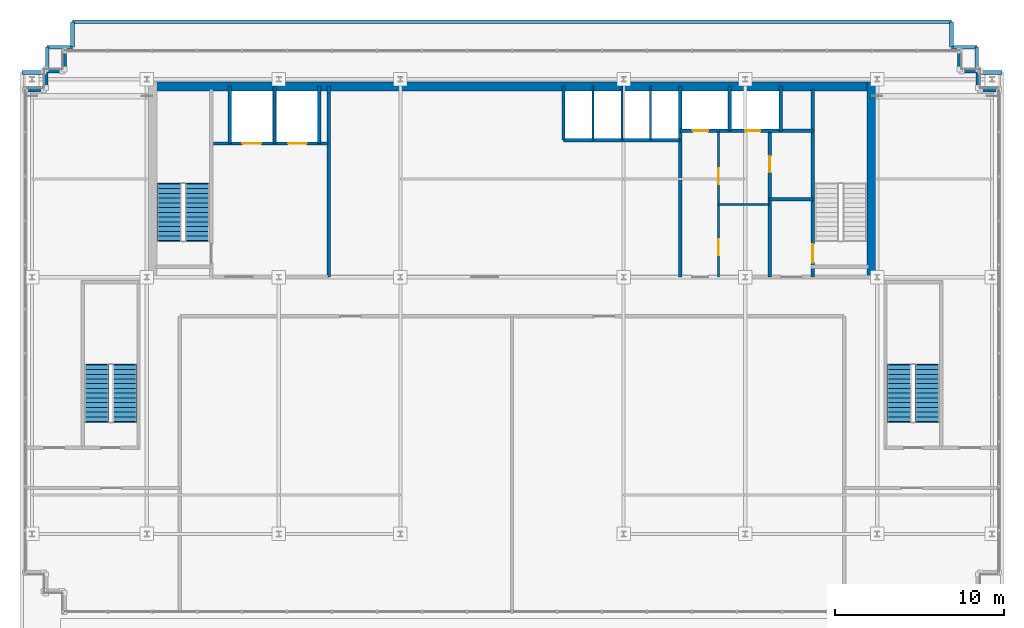
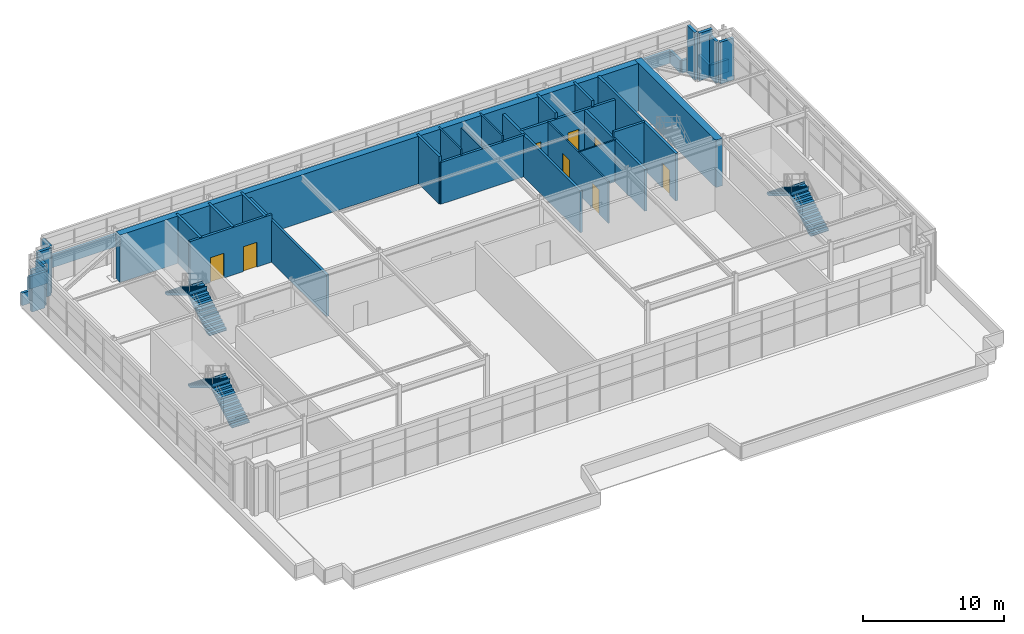
# One storey, part 31 of 38: 38 walls, 8 doors, 6 stair flights, 8 openings, 3 elements without a shape of their own.
"""IFC4 building model written with IfcOpenShell, lengths in metres."""

from ifc_helpers import new_model, si_unit, direction, frame, frame_2d, origin, place, context, subcontext, project, spatial, polyline, rectangle, outline, extrude, source, transform, mapped, material, layer, layer_set, type_object, element, fill, aggregate, save


model = new_model("IFC4")

# Units and contexts
model_context = context("Model", 3, precision=1e-05, world=origin(), true_north=direction((0.0, 1.0)))
body_context = subcontext(model_context, "Body", "Model", "MODEL_VIEW")
ifc_project = project(units=[si_unit("LENGTHUNIT", "METRE"), si_unit("AREAUNIT", "SQUARE_METRE"), si_unit("VOLUMEUNIT", "CUBIC_METRE"), si_unit("PLANEANGLEUNIT", "RADIAN"), si_unit("MASSUNIT", "GRAM", prefix="KILO")], contexts=[model_context])

# Site, building, storey
site_placement = place(None, origin())
site = spatial("IfcSite", under=ifc_project, at=site_placement, CompositionType="ELEMENT")
building_placement = place(site_placement, origin())
building = spatial("IfcBuilding", under=site, at=building_placement, Name="Trelvane Seafront Commons", CompositionType="ELEMENT")
storey_placement = place(building_placement, frame((0.0, 0.0, 299.10009765625)))
storey = spatial("IfcBuildingStorey", under=building, at=storey_placement, Name="L78", CompositionType="ELEMENT", Elevation=299.10009765625)

# Walls
ifc_material_1 = material(Name="Precast concrete C40/50", Category="concrete")
ifc_layer_1 = layer(ifc_material_1, 0.239990234375, Name="ARCH-WALL-EXT240")
ifc_layer_set_1 = layer_set([ifc_layer_1], Name="Precast concrete C40/50")
wall_type_1 = type_object("IfcWallType", Name="ARCH-WALL-EXT240", PredefinedType="SOLIDWALL", material=ifc_layer_set_1)
wall_1_placement = place(storey_placement, frame((8.39990234375, 44.47998046875, 0.0), z_axis=(0.0, 0.0, 1.0), x_axis=(1.0, 0.0, 0.0)))
element("IfcWall", 1, at=wall_1_placement, inside=storey, type_object=wall_type_1, Name="EW-L78-CRN-01584", PredefinedType="SOLIDWALL", context=body_context, shape_type="SweptSolid", body=[
    extrude(rectangle(XDim=1.10009765625, YDim=0.239990234375, at=frame_2d((0.550048828125, 0.0))), origin(), (0.0, 0.0, 1.0), 3.619873046875),
])
wall_2_placement = place(storey_placement, frame((9.6201171875, 44.60009765625, 0.0), z_axis=(0.0, 0.0, 1.0), x_axis=(0.0, 1.0, 0.0)))
element("IfcWall", 2, at=wall_2_placement, inside=storey, type_object=wall_type_1, Name="EW-L78-CRN-01585", PredefinedType="SOLIDWALL", context=body_context, shape_type="SweptSolid", body=[
    extrude(rectangle(XDim=1.099853515625, YDim=0.239990234375, at=frame_2d((0.5498046875, 0.0))), origin(), (0.0, 0.0, 1.0), 3.619873046875),
])
for number, where, z_axis, x_axis, name in (
    (3, (9.5, 45.580078125, 0.0), (0.0, 0.0, 1.0), (1.0, 0.0, 0.0), "EW-L78-CRN-01586"),
    (4, (10.719970703125, 45.699951171875, 0.0), (0.0, 0.0, 1.0), (0.0, 1.0, 0.0), "EW-L78-CRN-01587"),
    (5, (63.679931640625, 46.800048828125, 0.0), (0.0, 0.0, 1.0), (0.0, -1.0, 0.0), "EW-L78-CRN-01588"),
):
    element("IfcWall", number, at=place(storey_placement, frame(where, z_axis=z_axis, x_axis=x_axis)), inside=storey, type_object=wall_type_1, Name=name, PredefinedType="SOLIDWALL", context=body_context, shape_type="SweptSolid", body=[
        extrude(rectangle(XDim=1.10009765625, YDim=0.239990234375, at=frame_2d((0.550048828125, 0.0))), origin(), (0.0, 0.0, 1.0), 4.119873046875),
    ])
wall_3_placement = place(storey_placement, frame((63.800048828125, 45.580078125, 0.0), z_axis=(0.0, 0.0, 1.0), x_axis=(1.0, 0.0, 0.0)))
element("IfcWall", 6, at=wall_3_placement, inside=storey, type_object=wall_type_1, Name="EW-L78-CRN-01589", PredefinedType="SOLIDWALL", context=body_context, shape_type="SweptSolid", body=[
    extrude(rectangle(XDim=1.099853515625, YDim=0.239990234375, at=frame_2d((0.5498046875, 0.0))), origin(), (0.0, 0.0, 1.0), 4.119873046875),
])
wall_4_placement = place(storey_placement, frame((64.780029296875, 45.699951171875, 0.0), z_axis=(0.0, 0.0, 1.0), x_axis=(0.0, -1.0, 0.0)))
element("IfcWall", 7, at=wall_4_placement, inside=storey, type_object=wall_type_1, Name="EW-L78-CRN-01590", PredefinedType="SOLIDWALL", context=body_context, shape_type="SweptSolid", body=[
    extrude(rectangle(XDim=1.099853515625, YDim=0.239990234375, at=frame_2d((0.5498046875, 0.0))), origin(), (0.0, 0.0, 1.0), 3.619873046875),
])
wall_5_placement = place(storey_placement, frame((64.89990234375, 44.47998046875, 0.0), z_axis=(0.0, 0.0, 1.0), x_axis=(1.0, 0.0, 0.0)))
element("IfcWall", 8, at=wall_5_placement, inside=storey, type_object=wall_type_1, Name="EW-L78-CRN-01591", PredefinedType="SOLIDWALL", context=body_context, shape_type="SweptSolid", body=[
    extrude(rectangle(XDim=1.10009765625, YDim=0.239990234375, at=frame_2d((0.550048828125, 0.0))), origin(), (0.0, 0.0, 1.0), 3.619873046875),
])

# Wall, opening, door
ifc_material_2 = material(Name="Concrete C40/50", Category="concrete")
ifc_layer_2 = layer(ifc_material_2, 0.199951171875, Name="ARCH-WALL-FIRE200")
ifc_layer_set_2 = layer_set([ifc_layer_2], Name="Concrete C40/50")
wall_type_2 = type_object("IfcWallType", Name="ARCH-WALL-FIRE200", PredefinedType="PARTITIONING", material=ifc_layer_set_2)
wall_6_placement = place(storey_placement, frame((52.449951171875, 33.39990234375, 0.0), z_axis=(0.0, 0.0, 1.0), x_axis=(0.0, 1.0, 0.0)))
wall_6 = element("IfcWall", 9, at=wall_6_placement, inside=storey, type_object=wall_type_2, Name="W-L78-ST2V-W-032", PredefinedType="PARTITIONING", context=body_context, shape_type="SweptSolid", body=[
    extrude(rectangle(XDim=8.650146484375, YDim=0.199951171875, at=frame_2d((4.3251953125, 0.0))), origin(), (0.0, 0.0, 1.0), 3.619873046875),
])
opening_1_placement = place(wall_6_placement, frame((6.199951171875, 0.0, 0.0)))
opening_1 = element("IfcOpeningElement", 10, at=opening_1_placement, cuts=wall_6, Name="Opening FD-L78-11", PredefinedType="OPENING", context=body_context, shape_type="SweptSolid", body=[
    extrude(rectangle(XDim=0.949951171875, YDim=2.14990234375, at=frame_2d((0.47509765625, 1.074951171875))), frame((0.0, 0.10986328125, 0.0), z_axis=(0.0, -1.0, 0.0), x_axis=(1.0, 0.0, 0.0)), (0.0, 0.0, 1.0), 0.219970703125),
])
ifc_material_3 = material(Name="Powder-coated aluminium frame", Category="aluminium")
door_type_1 = type_object("IfcDoorType", Name="ARCH-DR-FD60-950", OperationType="NOTDEFINED", PredefinedType="DOOR", material=ifc_material_3)
shared_shape_1 = source(origin(), body_context, "Body", "SweptSolid", [
    extrude(rectangle(XDim=0.949951171875, YDim=2.14990234375, at=frame_2d((0.47509765625, 1.074951171875))), frame((0.0, 0.02490234375, 0.0), z_axis=(0.0, -1.0, 0.0), x_axis=(1.0, 0.0, 0.0)), (0.0, 0.0, 1.0), 0.050048828125),
])
door_1_placement = place(opening_1_placement, origin())
door_1 = element("IfcDoor", 11, at=door_1_placement, inside=storey, type_object=door_type_1, Name="L78 Cleaner Store Door", OperationType="SINGLE_SWING_LEFT", OverallHeight=2.14990234375, OverallWidth=0.949951171875, PredefinedType="DOOR", context=body_context, shape_type="MappedRepresentation", body=[
    mapped(shared_shape_1, transform((0.0, 0.0, 0.0), x_axis=(1.0, 0.0, 0.0), y_axis=(0.0, 1.0, 0.0), z_axis=(0.0, 0.0, 1.0), scale=1.0)),
])
fill(opening_1, door_1)

# Walls
wall_7_placement = place(storey_placement, frame((52.449951171875, 38.0, 0.0), z_axis=(0.0, 0.0, 1.0), x_axis=(1.0, 0.0, 0.0)))
element("IfcWall", 12, at=wall_7_placement, inside=storey, type_object=wall_type_2, Name="W-L78-ST2V-N-033", PredefinedType="PARTITIONING", context=body_context, shape_type="SweptSolid", body=[
    extrude(rectangle(XDim=2.550048828125, YDim=0.199951171875, at=frame_2d((1.27490234375, 0.0))), origin(), (0.0, 0.0, 1.0), 4.119873046875),
])
ifc_layer_3 = layer(ifc_material_1, 0.219970703125, Name="ARCH-WALL-PARAPET220")
ifc_layer_set_3 = layer_set([ifc_layer_3], Name="Precast concrete C40/50")
wall_type_3 = type_object("IfcWallType", Name="ARCH-WALL-PARAPET220", PredefinedType="PARAPET", material=ifc_layer_set_3)
for number, where, z_axis, x_axis, name in (
    (13, (66.199951171875, 45.5, 0.0), (0.0, 0.0, 1.0), (-1.0, 0.0, 0.0), "PAR-L78-1607"),
    (14, (64.699951171875, 45.5, 0.0), (0.0, 0.0, 1.0), (0.0, 1.0, 0.0), "PAR-L78-1608"),
    (15, (64.699951171875, 47.0, 0.0), (0.0, 0.0, 1.0), (-1.0, 0.0, 0.0), "PAR-L78-1609"),
    (16, (63.199951171875, 47.0, 0.0), (0.0, 0.0, 1.0), (0.0, 1.0, 0.0), "PAR-L78-1610"),
):
    element("IfcWall", number, at=place(storey_placement, frame(where, z_axis=z_axis, x_axis=x_axis)), inside=storey, type_object=wall_type_3, Name=name, PredefinedType="PARAPET", context=body_context, shape_type="SweptSolid", body=[
        extrude(rectangle(XDim=1.5, YDim=0.219970703125, at=frame_2d((0.75, 0.0))), origin(), (0.0, 0.0, 1.0), 1.079833984375),
    ])
wall_8_placement = place(storey_placement, frame((63.199951171875, 48.5, 0.0), z_axis=(0.0, 0.0, 1.0), x_axis=(-1.0, 0.0, 0.0)))
element("IfcWall", 17, at=wall_8_placement, inside=storey, type_object=wall_type_3, Name="PAR-L78-1611", PredefinedType="PARAPET", context=body_context, shape_type="SweptSolid", body=[
    extrude(rectangle(XDim=52.0, YDim=0.219970703125, at=frame_2d((26.0, 0.0))), origin(), (0.0, 0.0, 1.0), 1.079833984375),
])
for number, where, z_axis, x_axis, name in (
    (18, (11.199951171875, 48.5, 0.0), (0.0, 0.0, 1.0), (0.0, -1.0, 0.0), "PAR-L78-1612"),
    (19, (11.199951171875, 47.0, 0.0), (0.0, 0.0, 1.0), (-1.0, 0.0, 0.0), "PAR-L78-1613"),
    (20, (9.699951171875, 47.0, 0.0), (0.0, 0.0, 1.0), (0.0, -1.0, 0.0), "PAR-L78-1614"),
    (21, (9.699951171875, 45.5, 0.0), (0.0, 0.0, 1.0), (-1.0, 0.0, 0.0), "PAR-L78-1615"),
):
    element("IfcWall", number, at=place(storey_placement, frame(where, z_axis=z_axis, x_axis=x_axis)), inside=storey, type_object=wall_type_3, Name=name, PredefinedType="PARAPET", context=body_context, shape_type="SweptSolid", body=[
        extrude(rectangle(XDim=1.5, YDim=0.219970703125, at=frame_2d((0.75, 0.0))), origin(), (0.0, 0.0, 1.0), 1.079833984375),
    ])
ifc_material_4 = material(Name="Gypsum Drywall Acoustic Partition")
ifc_layer_4 = layer(ifc_material_4, 0.1201171875, Name="ARCH-WALL-PART120")
ifc_layer_set_4 = layer_set([ifc_layer_4], Name="Gypsum Drywall Acoustic Partition")
wall_type_4 = type_object("IfcWallType", Name="ARCH-WALL-PART120", PredefinedType="PARTITIONING", material=ifc_layer_set_4)
wall_9_placement = place(storey_placement, frame((42.0, 41.5, 0.0), z_axis=(0.0, 0.0, 1.0), x_axis=(0.0, 1.0, 0.0)))
element("IfcWall", 22, at=wall_9_placement, inside=storey, type_object=wall_type_4, Name="W-L78-PH78-DV1-025", PredefinedType="PARTITIONING", context=body_context, shape_type="SweptSolid", body=[
    extrude(rectangle(XDim=3.199951171875, YDim=0.1201171875, at=frame_2d((1.60009765625, 0.0))), origin(), (0.0, 0.0, 1.0), 4.119873046875),
])
wall_10_placement = place(storey_placement, frame((43.699951171875, 41.5, 0.0), z_axis=(0.0, 0.0, 1.0), x_axis=(0.0, 1.0, 0.0)))
element("IfcWall", 23, at=wall_10_placement, inside=storey, type_object=wall_type_4, Name="W-L78-PH78-DV2-026", PredefinedType="PARTITIONING", context=body_context, shape_type="SweptSolid", body=[
    extrude(rectangle(XDim=3.199951171875, YDim=0.1201171875, at=frame_2d((1.60009765625, 0.0))), origin(), (0.0, 0.0, 1.0), 3.619873046875),
])
wall_11_placement = place(storey_placement, frame((45.39990234375, 41.5, 0.0), z_axis=(0.0, 0.0, 1.0), x_axis=(0.0, 1.0, 0.0)))
element("IfcWall", 24, at=wall_11_placement, inside=storey, type_object=wall_type_4, Name="W-L78-PH78-DV3-027", PredefinedType="PARTITIONING", context=body_context, shape_type="SweptSolid", body=[
    extrude(rectangle(XDim=3.199951171875, YDim=0.1201171875, at=frame_2d((1.60009765625, 0.0))), origin(), (0.0, 0.0, 1.0), 4.119873046875),
])

# Wall, openings, doors
wall_12_placement = place(storey_placement, frame((49.419921875, 33.39990234375, 0.0), z_axis=(0.0, 0.0, 1.0), x_axis=(0.0, 1.0, 0.0)))
wall_12 = element("IfcWall", 25, at=wall_12_placement, inside=storey, type_object=wall_type_4, Name="W-L78-CYC0-V-034", PredefinedType="PARTITIONING", context=body_context, shape_type="SweptSolid", body=[
    extrude(rectangle(XDim=8.60009765625, YDim=0.1201171875, at=frame_2d((4.300048828125, 0.0))), origin(), (0.0, 0.0, 1.0), 3.619873046875),
])
opening_2_placement = place(wall_12_placement, frame((1.300048828125, 0.0, 0.0)))
opening_2 = element("IfcOpeningElement", 26, at=opening_2_placement, cuts=wall_12, Name="Opening D-L78-12", PredefinedType="OPENING", context=body_context, shape_type="SweptSolid", body=[
    extrude(rectangle(XDim=0.949951171875, YDim=2.14990234375, at=frame_2d((0.47509765625, 1.074951171875))), frame((0.0, 0.070068359375, 0.0), z_axis=(0.0, -1.0, 0.0), x_axis=(1.0, 0.0, 0.0)), (0.0, 0.0, 1.0), 0.14013671875),
])
opening_3_placement = place(wall_12_placement, frame((5.5, 0.0, 0.0)))
opening_3 = element("IfcOpeningElement", 27, at=opening_3_placement, cuts=wall_12, Name="Opening D-L78-13", PredefinedType="OPENING", context=body_context, shape_type="SweptSolid", body=[
    extrude(rectangle(XDim=0.949951171875, YDim=2.14990234375, at=frame_2d((0.47509765625, 1.074951171875))), frame((0.0, 0.070068359375, 0.0), z_axis=(0.0, -1.0, 0.0), x_axis=(1.0, 0.0, 0.0)), (0.0, 0.0, 1.0), 0.14013671875),
])
ifc_material_5 = material(Name="Acoustic timber door leaf", Category="wood")
door_type_2 = type_object("IfcDoorType", Name="ARCH-DR-INT950", OperationType="NOTDEFINED", PredefinedType="DOOR", material=ifc_material_5)
door_2_placement = place(opening_2_placement, origin())
door_2 = element("IfcDoor", 28, at=door_2_placement, inside=storey, type_object=door_type_2, Name="L78 Accessible WC Door", OperationType="SINGLE_SWING_RIGHT", OverallHeight=2.14990234375, OverallWidth=0.949951171875, PredefinedType="DOOR", context=body_context, shape_type="MappedRepresentation", body=[
    mapped(shared_shape_1, transform((0.0, 0.0, 0.0), x_axis=(1.0, 0.0, 0.0), y_axis=(0.0, 1.0, 0.0), z_axis=(0.0, 0.0, 1.0), scale=1.0)),
])
fill(opening_2, door_2)
door_3_placement = place(opening_3_placement, origin())
door_3 = element("IfcDoor", 29, at=door_3_placement, inside=storey, type_object=door_type_2, Name="L78 Common WC Door", OperationType="SINGLE_SWING_LEFT", OverallHeight=2.14990234375, OverallWidth=0.949951171875, PredefinedType="DOOR", context=body_context, shape_type="MappedRepresentation", body=[
    mapped(shared_shape_1, transform((0.0, 0.0, 0.0), x_axis=(1.0, 0.0, 0.0), y_axis=(0.0, 1.0, 0.0), z_axis=(0.0, 0.0, 1.0), scale=1.0)),
])
fill(opening_3, door_3)

# Wall
wall_13_placement = place(storey_placement, frame((49.419921875, 37.679931640625, 0.0), z_axis=(0.0, 0.0, 1.0), x_axis=(1.0, 0.0, 0.0)))
element("IfcWall", 30, at=wall_13_placement, inside=storey, type_object=wall_type_4, Name="W-L78-CYC0-H-035", PredefinedType="PARTITIONING", context=body_context, shape_type="SweptSolid", body=[
    extrude(rectangle(XDim=3.030029296875, YDim=0.1201171875, at=frame_2d((1.51513671875, 0.0))), origin(), (0.0, 0.0, 1.0), 3.619873046875),
])

# Wall, openings, doors
ifc_layer_5 = layer(ifc_material_2, 0.199951171875, Name="ARCH-WALL-SHAFT200")
ifc_layer_set_5 = layer_set([ifc_layer_5], Name="Concrete C40/50")
wall_type_5 = type_object("IfcWallType", Name="ARCH-WALL-SHAFT200", PredefinedType="SOLIDWALL", material=ifc_layer_set_5)
wall_14_placement = place(storey_placement, frame((19.550048828125, 41.300048828125, 0.0), z_axis=(0.0, 0.0, 1.0), x_axis=(1.0, 0.0, 0.0)))
wall_14 = element("IfcWall", 31, at=wall_14_placement, inside=storey, type_object=wall_type_5, Name="W-L78-FFL-FRONT-016", PredefinedType="SOLIDWALL", context=body_context, shape_type="SweptSolid", body=[
    extrude(rectangle(XDim=6.75, YDim=0.199951171875, at=frame_2d((3.375, 0.0))), origin(), (0.0, 0.0, 1.0), 4.119873046875),
])
opening_4_placement = place(wall_14_placement, frame((1.699951171875, 0.0, 0.0)))
opening_4 = element("IfcOpeningElement", 32, at=opening_4_placement, cuts=wall_14, Name="Opening LD-FF1-L78", PredefinedType="OPENING", context=body_context, shape_type="SweptSolid", body=[
    extrude(rectangle(XDim=1.10009765625, YDim=2.14990234375, at=frame_2d((0.550048828125, 1.074951171875))), frame((0.0, 0.10986328125, 0.0), z_axis=(0.0, -1.0, 0.0), x_axis=(1.0, 0.0, 0.0)), (0.0, 0.0, 1.0), 0.219970703125),
])
opening_5_placement = place(wall_14_placement, frame((4.39990234375, 0.0, 0.0)))
opening_5 = element("IfcOpeningElement", 33, at=opening_5_placement, cuts=wall_14, Name="Opening LD-FF2-L78", PredefinedType="OPENING", context=body_context, shape_type="SweptSolid", body=[
    extrude(rectangle(XDim=1.10009765625, YDim=2.14990234375, at=frame_2d((0.550048828125, 1.074951171875))), frame((0.0, 0.10986328125, 0.0), z_axis=(0.0, -1.0, 0.0), x_axis=(1.0, 0.0, 0.0)), (0.0, 0.0, 1.0), 0.219970703125),
])
ifc_material_6 = material(Name="Stainless steel balustrade", Category="steel")
door_type_3 = type_object("IfcDoorType", Name="ARCH-DR-LD1100", OperationType="DOUBLE_DOOR_SLIDING", PredefinedType="DOOR", material=ifc_material_6)
shared_shape_2 = source(origin(), body_context, "Body", "SweptSolid", [
    extrude(rectangle(XDim=1.10009765625, YDim=2.14990234375, at=frame_2d((0.550048828125, 1.074951171875))), frame((0.0, 0.02490234375, 0.0), z_axis=(0.0, -1.0, 0.0), x_axis=(1.0, 0.0, 0.0)), (0.0, 0.0, 1.0), 0.050048828125),
])
door_4_placement = place(opening_4_placement, origin())
door_4 = element("IfcDoor", 34, at=door_4_placement, inside=storey, type_object=door_type_3, Name="L78 Firefighting Lift FFL-1 Landing Door", OperationType="DOUBLE_DOOR_SLIDING", OverallHeight=2.14990234375, OverallWidth=1.10009765625, PredefinedType="DOOR", context=body_context, shape_type="MappedRepresentation", body=[
    mapped(shared_shape_2, transform((0.0, 0.0, 0.0), x_axis=(1.0, 0.0, 0.0), y_axis=(0.0, 1.0, 0.0), z_axis=(0.0, 0.0, 1.0), scale=1.0)),
])
fill(opening_4, door_4)
door_5_placement = place(opening_5_placement, origin())
door_5 = element("IfcDoor", 35, at=door_5_placement, inside=storey, type_object=door_type_3, Name="L78 Firefighting Lift FFL-2 Landing Door", OperationType="DOUBLE_DOOR_SLIDING", OverallHeight=2.14990234375, OverallWidth=1.10009765625, PredefinedType="DOOR", context=body_context, shape_type="MappedRepresentation", body=[
    mapped(shared_shape_2, transform((0.0, 0.0, 0.0), x_axis=(1.0, 0.0, 0.0), y_axis=(0.0, 1.0, 0.0), z_axis=(0.0, 0.0, 1.0), scale=1.0)),
])
fill(opening_5, door_5)

# Walls
for number, where, z_axis, x_axis, name in (
    (36, (20.5, 41.300048828125, 0.0), (0.0, 0.0, 1.0), (0.0, 1.0, 0.0), "W-L78-FFL-SH-W-017"),
    (37, (23.14990234375, 41.300048828125, 0.0), (0.0, 0.0, 1.0), (0.0, 1.0, 0.0), "W-L78-FFL-DIV-018"),
    (38, (25.800048828125, 41.300048828125, 0.0), (0.0, 0.0, 1.0), (0.0, 1.0, 0.0), "W-L78-FFL-SH-E-019"),
):
    element("IfcWall", number, at=place(storey_placement, frame(where, z_axis=z_axis, x_axis=x_axis)), inside=storey, type_object=wall_type_5, Name=name, PredefinedType="SOLIDWALL", context=body_context, shape_type="SweptSolid", body=[
        extrude(rectangle(XDim=3.39990234375, YDim=0.199951171875, at=frame_2d((1.699951171875, 0.0))), origin(), (0.0, 0.0, 1.0), 4.119873046875),
    ])
wall_15_placement = place(storey_placement, frame((26.35009765625, 33.39990234375, 0.0), z_axis=(0.0, 0.0, 1.0), x_axis=(0.0, 1.0, 0.0)))
element("IfcWall", 39, at=wall_15_placement, inside=storey, type_object=wall_type_5, Name="W-L78-FFL-EAST-020", PredefinedType="SOLIDWALL", context=body_context, shape_type="SweptSolid", body=[
    extrude(rectangle(XDim=11.300048828125, YDim=0.199951171875, at=frame_2d((5.64990234375, 0.0))), origin(), (0.0, 0.0, 1.0), 3.619873046875),
])
wall_16_placement = place(storey_placement, frame((40.25, 41.5, 0.0), z_axis=(0.0, 0.0, 1.0), x_axis=(0.0, 1.0, 0.0)))
element("IfcWall", 40, at=wall_16_placement, inside=storey, type_object=wall_type_5, Name="W-L78-PH78-W-022", PredefinedType="SOLIDWALL", context=body_context, shape_type="SweptSolid", body=[
    extrude(rectangle(XDim=3.199951171875, YDim=0.199951171875, at=frame_2d((1.60009765625, 0.0))), origin(), (0.0, 0.0, 1.0), 4.119873046875),
])
wall_17_placement = place(storey_placement, frame((40.25, 41.5, 0.0), z_axis=(0.0, 0.0, 1.0), x_axis=(1.0, 0.0, 0.0)))
element("IfcWall", 41, at=wall_17_placement, inside=storey, type_object=wall_type_5, Name="W-L78-PH78-S-023", PredefinedType="SOLIDWALL", context=body_context, shape_type="SweptSolid", body=[
    extrude(rectangle(XDim=6.89990234375, YDim=0.199951171875, at=frame_2d((3.449951171875, 0.0))), origin(), (0.0, 0.0, 1.0), 3.619873046875),
])
wall_18_placement = place(storey_placement, frame((47.14990234375, 33.39990234375, 0.0), z_axis=(0.0, 0.0, 1.0), x_axis=(0.0, 1.0, 0.0)))
element("IfcWall", 42, at=wall_18_placement, inside=storey, type_object=wall_type_5, Name="W-L78-PH78-E-024", PredefinedType="SOLIDWALL", context=body_context, shape_type="SweptSolid", body=[
    extrude(rectangle(XDim=11.300048828125, YDim=0.199951171875, at=frame_2d((5.64990234375, 0.0))), origin(), (0.0, 0.0, 1.0), 3.619873046875),
])

# Wall, openings, doors
wall_19_placement = place(storey_placement, frame((47.14990234375, 42.050048828125, 0.0), z_axis=(0.0, 0.0, 1.0), x_axis=(1.0, 0.0, 0.0)))
wall_19 = element("IfcWall", 43, at=wall_19_placement, inside=storey, type_object=wall_type_5, Name="W-L78-RSR-S-029", PredefinedType="SOLIDWALL", context=body_context, shape_type="SweptSolid", body=[
    extrude(rectangle(XDim=7.85009765625, YDim=0.199951171875, at=frame_2d((3.925048828125, 0.0))), origin(), (0.0, 0.0, 1.0), 3.619873046875),
])
opening_6_placement = place(wall_19_placement, frame((0.75, 0.0, 0.0)))
opening_6 = element("IfcOpeningElement", 44, at=opening_6_placement, cuts=wall_19, Name="Opening FD-L78-09", PredefinedType="OPENING", context=body_context, shape_type="SweptSolid", body=[
    extrude(rectangle(XDim=0.89990234375, YDim=2.10009765625, at=frame_2d((0.449951171875, 1.050048828125))), frame((0.0, 0.10986328125, 0.0), z_axis=(0.0, -1.0, 0.0), x_axis=(1.0, 0.0, 0.0)), (0.0, 0.0, 1.0), 0.219970703125),
])
opening_7_placement = place(wall_19_placement, frame((3.85009765625, 0.0, 0.0)))
opening_7 = element("IfcOpeningElement", 45, at=opening_7_placement, cuts=wall_19, Name="Opening FD-L78-10", PredefinedType="OPENING", context=body_context, shape_type="SweptSolid", body=[
    extrude(rectangle(XDim=0.89990234375, YDim=2.10009765625, at=frame_2d((0.449951171875, 1.050048828125))), frame((0.0, 0.10986328125, 0.0), z_axis=(0.0, -1.0, 0.0), x_axis=(1.0, 0.0, 0.0)), (0.0, 0.0, 1.0), 0.219970703125),
])
door_type_4 = type_object("IfcDoorType", Name="ARCH-DR-FD60-900", OperationType="NOTDEFINED", PredefinedType="DOOR", material=ifc_material_3)
shared_shape_3 = source(origin(), body_context, "Body", "SweptSolid", [
    extrude(rectangle(XDim=0.89990234375, YDim=2.10009765625, at=frame_2d((0.449951171875, 1.050048828125))), frame((0.0, 0.02490234375, 0.0), z_axis=(0.0, -1.0, 0.0), x_axis=(1.0, 0.0, 0.0)), (0.0, 0.0, 1.0), 0.050048828125),
])
door_6_placement = place(opening_6_placement, origin())
door_6 = element("IfcDoor", 46, at=door_6_placement, inside=storey, type_object=door_type_4, Name="L78 Electrical Riser Access Door", OperationType="SINGLE_SWING_LEFT", OverallHeight=2.10009765625, OverallWidth=0.89990234375, PredefinedType="DOOR", context=body_context, shape_type="MappedRepresentation", body=[
    mapped(shared_shape_3, transform((0.0, 0.0, 0.0), x_axis=(1.0, 0.0, 0.0), y_axis=(0.0, 1.0, 0.0), z_axis=(0.0, 0.0, 1.0), scale=1.0)),
])
fill(opening_6, door_6)
door_7_placement = place(opening_7_placement, origin())
door_7 = element("IfcDoor", 47, at=door_7_placement, inside=storey, type_object=door_type_4, Name="L78 Mechanical Riser Access Door", OperationType="SINGLE_SWING_RIGHT", OverallHeight=2.10009765625, OverallWidth=0.89990234375, PredefinedType="DOOR", context=body_context, shape_type="MappedRepresentation", body=[
    mapped(shared_shape_3, transform((0.0, 0.0, 0.0), x_axis=(1.0, 0.0, 0.0), y_axis=(0.0, 1.0, 0.0), z_axis=(0.0, 0.0, 1.0), scale=1.0)),
])
fill(opening_7, door_7)

# Walls
for number, where, z_axis, x_axis, name in (
    (48, (50.080078125, 42.050048828125, 0.0), (0.0, 0.0, 1.0), (0.0, 1.0, 0.0), "W-L78-RSR-DIV-030"),
    (49, (53.10009765625, 42.050048828125, 0.0), (0.0, 0.0, 1.0), (0.0, 1.0, 0.0), "W-L78-RSR-E-031"),
):
    element("IfcWall", number, at=place(storey_placement, frame(where, z_axis=z_axis, x_axis=x_axis)), inside=storey, type_object=wall_type_5, Name=name, PredefinedType="SOLIDWALL", context=body_context, shape_type="SweptSolid", body=[
        extrude(rectangle(XDim=2.64990234375, YDim=0.199951171875, at=frame_2d((1.324951171875, 0.0))), origin(), (0.0, 0.0, 1.0), 4.119873046875),
    ])
ifc_material_7 = material(Name="Concrete C50/60", Category="concrete")
ifc_layer_6 = layer(ifc_material_7, 0.550048828125, Name="STR-WALL-CORE550")
ifc_layer_set_6 = layer_set([ifc_layer_6], Name="Concrete C50/60")
wall_type_6 = type_object("IfcWallType", Name="STR-WALL-CORE550", PredefinedType="SHEAR", material=ifc_layer_set_6)
wall_20_placement = place(storey_placement, frame((15.64990234375, 44.675048828125, 0.0), z_axis=(0.0, 0.0, 1.0), x_axis=(1.0, 0.0, 0.0)))
element("IfcWall", 50, at=wall_20_placement, inside=storey, type_object=wall_type_6, Name="W-L78-CN-ALL-001", PredefinedType="SHEAR", context=body_context, shape_type="SweptSolid", body=[
    extrude(rectangle(XDim=43.10009765625, YDim=0.550048828125, at=frame_2d((21.550048828125, 0.0))), origin(), (0.0, 0.0, 1.0), 4.119873046875),
])
wall_21_placement = place(storey_placement, frame((58.47509765625, 33.39990234375, 0.0), z_axis=(0.0, 0.0, 1.0), x_axis=(0.0, 1.0, 0.0)))
element("IfcWall", 51, at=wall_21_placement, inside=storey, type_object=wall_type_6, Name="W-L78-CE-END-003", PredefinedType="SHEAR", context=body_context, shape_type="SweptSolid", body=[
    extrude(rectangle(XDim=11.550048828125, YDim=0.550048828125, at=frame_2d((5.77490234375, 0.0))), origin(), (0.0, 0.0, 1.0), 4.119873046875),
])

# Wall, opening, door
ifc_layer_7 = layer(ifc_material_7, 0.199951171875, Name="STR-WALL-STAIR200")
ifc_layer_set_7 = layer_set([ifc_layer_7], Name="Concrete C50/60")
wall_type_7 = type_object("IfcWallType", Name="STR-WALL-STAIR200", PredefinedType="SHEAR", material=ifc_layer_set_7)
wall_22_placement = place(storey_placement, frame((55.0, 33.39990234375, 0.0), z_axis=(0.0, 0.0, 1.0), x_axis=(0.0, 1.0, 0.0)))
wall_22 = element("IfcWall", 52, at=wall_22_placement, inside=storey, type_object=wall_type_7, Name="W-L78-ST2-W-007", PredefinedType="SHEAR", context=body_context, shape_type="SweptSolid", body=[
    extrude(rectangle(XDim=11.10009765625, YDim=0.199951171875, at=frame_2d((5.550048828125, 0.0))), origin(), (0.0, 0.0, 1.0), 4.119873046875),
])
opening_8_placement = place(wall_22_placement, frame((0.85009765625, 0.0, 0.0)))
opening_8 = element("IfcOpeningElement", 53, at=opening_8_placement, cuts=wall_22, Name="Opening ST-D2-L78", PredefinedType="OPENING", context=body_context, shape_type="SweptSolid", body=[
    extrude(rectangle(XDim=1.10009765625, YDim=2.14990234375, at=frame_2d((0.550048828125, 1.074951171875))), frame((0.0, 0.10986328125, 0.0), z_axis=(0.0, -1.0, 0.0), x_axis=(1.0, 0.0, 0.0)), (0.0, 0.0, 1.0), 0.219970703125),
])
door_type_5 = type_object("IfcDoorType", Name="ARCH-DR-FD90-1100", OperationType="NOTDEFINED", PredefinedType="DOOR", material=ifc_material_3)
door_8_placement = place(opening_8_placement, origin())
door_8 = element("IfcDoor", 54, at=door_8_placement, inside=storey, type_object=door_type_5, Name="L78 Stair ST-2 Vestibule Fire Door", OperationType="SINGLE_SWING_RIGHT", OverallHeight=2.14990234375, OverallWidth=1.10009765625, PredefinedType="DOOR", context=body_context, shape_type="MappedRepresentation", body=[
    mapped(shared_shape_2, transform((0.0, 0.0, 0.0), x_axis=(1.0, 0.0, 0.0), y_axis=(0.0, 1.0, 0.0), z_axis=(0.0, 0.0, 1.0), scale=1.0)),
])
fill(opening_8, door_8)

# Stair, stair flights
stair_type_1 = type_object("IfcStairType", Name="ARCH-STR-ST-1-R26-169", PredefinedType="HALF_TURN_STAIR", material=ifc_material_2)
stair_1_placement = place(storey_placement, origin())
stair_1 = element("IfcStair", 55, at=stair_1_placement, inside=storey, type_object=stair_type_1, Name="L78 West Protected Firefighting Exit Stair ST-1", PredefinedType="HALF_TURN_STAIR")
stair_flight_type_1 = type_object("IfcStairFlightType", Name="ARCH-FLG-ST-1-R26-169", PredefinedType="STRAIGHT", material=ifc_material_2)
shared_shape_4 = source(origin(), body_context, "Body", "SweptSolid", [
    extrude(outline(polyline([(-0.050048828125, -0.02001953125), (-0.050048828125, 0.0), (0.0, 0.0), (0.0, 0.169189453125), (0.280029296875, 0.169189453125), (0.280029296875, 0.33837890625), (0.56005859375, 0.33837890625), (0.56005859375, 0.5078125), (0.840087890625, 0.5078125), (0.840087890625, 0.677001953125), (1.1201171875, 0.677001953125), (1.1201171875, 0.84619140625), (1.39990234375, 0.84619140625), (1.39990234375, 1.015380859375), (1.679931640625, 1.015380859375), (1.679931640625, 1.1845703125), (1.9599609375, 1.1845703125), (1.9599609375, 1.353759765625), (2.239990234375, 1.353759765625), (2.239990234375, 1.523193359375), (2.52001953125, 1.523193359375), (2.52001953125, 1.6923828125), (2.800048828125, 1.6923828125), (2.800048828125, 1.861572265625), (3.080078125, 1.861572265625), (3.080078125, 2.03076171875), (3.360107421875, 2.03076171875), (3.360107421875, 2.199951171875), (3.409912109375, 2.199951171875), (3.409912109375, 2.050048828125), (3.360107421875, 1.855712890625), (0.289794921875, -0.02001953125), (-0.050048828125, -0.02001953125)])), frame((0.0, 0.72509765625, 0.0), z_axis=(0.0, -1.0, 0.0), x_axis=(1.0, 0.0, 0.0)), (0.0, 0.0, 1.0), 1.449951171875),
])
stair_flight_1_placement = place(storey_placement, frame((18.574951171875, 35.550048828125, 0.0), z_axis=(0.0, 0.0, 1.0), x_axis=(0.0, 1.0, 0.0)))
stair_flight_1 = element("IfcStairFlight", 56, at=stair_flight_1_placement, type_object=stair_flight_type_1, Name="ST-1 flight 1", NumberOfRisers=13, NumberOfTreads=12, PredefinedType="STRAIGHT", RiserHeight=0.169230769, TreadLength=0.28, context=body_context, shape_type="MappedRepresentation", body=[
    mapped(shared_shape_4, transform((0.0, 0.0, 0.0), x_axis=(1.0, 0.0, 0.0), y_axis=(0.0, 1.0, 0.0), z_axis=(0.0, 0.0, 1.0), scale=1.0)),
])
stair_flight_2_placement = place(storey_placement, frame((16.925048828125, 38.909912109375, 2.199951171875), z_axis=(0.0, 0.0, 1.0), x_axis=(0.0, -1.0, 0.0)))
stair_flight_2 = element("IfcStairFlight", 57, at=stair_flight_2_placement, type_object=stair_flight_type_1, Name="ST-1 flight 2", NumberOfRisers=13, NumberOfTreads=12, PredefinedType="STRAIGHT", RiserHeight=0.169230769, TreadLength=0.28, context=body_context, shape_type="MappedRepresentation", body=[
    mapped(shared_shape_4, transform((0.0, 0.0, 0.0), x_axis=(1.0, 0.0, 0.0), y_axis=(0.0, 1.0, 0.0), z_axis=(0.0, 0.0, 1.0), scale=1.0)),
])
aggregate(stair_1, [stair_flight_1, stair_flight_2])

stair_type_2 = type_object("IfcStairType", Name="ARCH-STR-ST-5-R26-169", PredefinedType="HALF_TURN_STAIR", material=ifc_material_2)
stair_2_placement = place(storey_placement, origin())
stair_2 = element("IfcStair", 58, at=stair_2_placement, inside=storey, type_object=stair_type_2, Name="L78 Crown West Peak Enclosed Maintenance Exit Stair ST-5", PredefinedType="HALF_TURN_STAIR")
stair_flight_type_2 = type_object("IfcStairFlightType", Name="ARCH-FLG-ST-5-R26-169", PredefinedType="STRAIGHT", material=ifc_material_2)
stair_flight_3_placement = place(storey_placement, frame((14.27490234375, 24.85009765625, 0.0), z_axis=(0.0, 0.0, 1.0), x_axis=(0.0, 1.0, 0.0)))
stair_flight_3 = element("IfcStairFlight", 59, at=stair_flight_3_placement, type_object=stair_flight_type_2, Name="ST-5 flight 1", NumberOfRisers=13, NumberOfTreads=12, PredefinedType="STRAIGHT", RiserHeight=0.169230769, TreadLength=0.28, context=body_context, shape_type="MappedRepresentation", body=[
    mapped(shared_shape_4, transform((0.0, 0.0, 0.0), x_axis=(1.0, 0.0, 0.0), y_axis=(0.0, 1.0, 0.0), z_axis=(0.0, 0.0, 1.0), scale=1.0)),
])
stair_flight_4_placement = place(storey_placement, frame((12.625, 28.2099609375, 2.199951171875), z_axis=(0.0, 0.0, 1.0), x_axis=(0.0, -1.0, 0.0)))
stair_flight_4 = element("IfcStairFlight", 60, at=stair_flight_4_placement, type_object=stair_flight_type_2, Name="ST-5 flight 2", NumberOfRisers=13, NumberOfTreads=12, PredefinedType="STRAIGHT", RiserHeight=0.169230769, TreadLength=0.28, context=body_context, shape_type="MappedRepresentation", body=[
    mapped(shared_shape_4, transform((0.0, 0.0, 0.0), x_axis=(1.0, 0.0, 0.0), y_axis=(0.0, 1.0, 0.0), z_axis=(0.0, 0.0, 1.0), scale=1.0)),
])
aggregate(stair_2, [stair_flight_3, stair_flight_4])

stair_type_3 = type_object("IfcStairType", Name="ARCH-STR-ST-6-R26-169", PredefinedType="HALF_TURN_STAIR", material=ifc_material_2)
stair_3_placement = place(storey_placement, origin())
stair_3 = element("IfcStair", 61, at=stair_3_placement, inside=storey, type_object=stair_type_3, Name="L78 Crown East Peak Enclosed Maintenance Exit Stair ST-6", PredefinedType="HALF_TURN_STAIR")
stair_flight_type_3 = type_object("IfcStairFlightType", Name="ARCH-FLG-ST-6-R26-169", PredefinedType="STRAIGHT", material=ifc_material_2)
stair_flight_5_placement = place(storey_placement, frame((61.77490234375, 24.85009765625, 0.0), z_axis=(0.0, 0.0, 1.0), x_axis=(0.0, 1.0, 0.0)))
stair_flight_5 = element("IfcStairFlight", 62, at=stair_flight_5_placement, type_object=stair_flight_type_3, Name="ST-6 flight 1", NumberOfRisers=13, NumberOfTreads=12, PredefinedType="STRAIGHT", RiserHeight=0.169230769, TreadLength=0.28, context=body_context, shape_type="MappedRepresentation", body=[
    mapped(shared_shape_4, transform((0.0, 0.0, 0.0), x_axis=(1.0, 0.0, 0.0), y_axis=(0.0, 1.0, 0.0), z_axis=(0.0, 0.0, 1.0), scale=1.0)),
])
stair_flight_6_placement = place(storey_placement, frame((60.125, 28.2099609375, 2.199951171875), z_axis=(0.0, 0.0, 1.0), x_axis=(0.0, -1.0, 0.0)))
stair_flight_6 = element("IfcStairFlight", 63, at=stair_flight_6_placement, type_object=stair_flight_type_3, Name="ST-6 flight 2", NumberOfRisers=13, NumberOfTreads=12, PredefinedType="STRAIGHT", RiserHeight=0.169230769, TreadLength=0.28, context=body_context, shape_type="MappedRepresentation", body=[
    mapped(shared_shape_4, transform((0.0, 0.0, 0.0), x_axis=(1.0, 0.0, 0.0), y_axis=(0.0, 1.0, 0.0), z_axis=(0.0, 0.0, 1.0), scale=1.0)),
])
aggregate(stair_3, [stair_flight_5, stair_flight_6])

save(model, "model.ifc")
